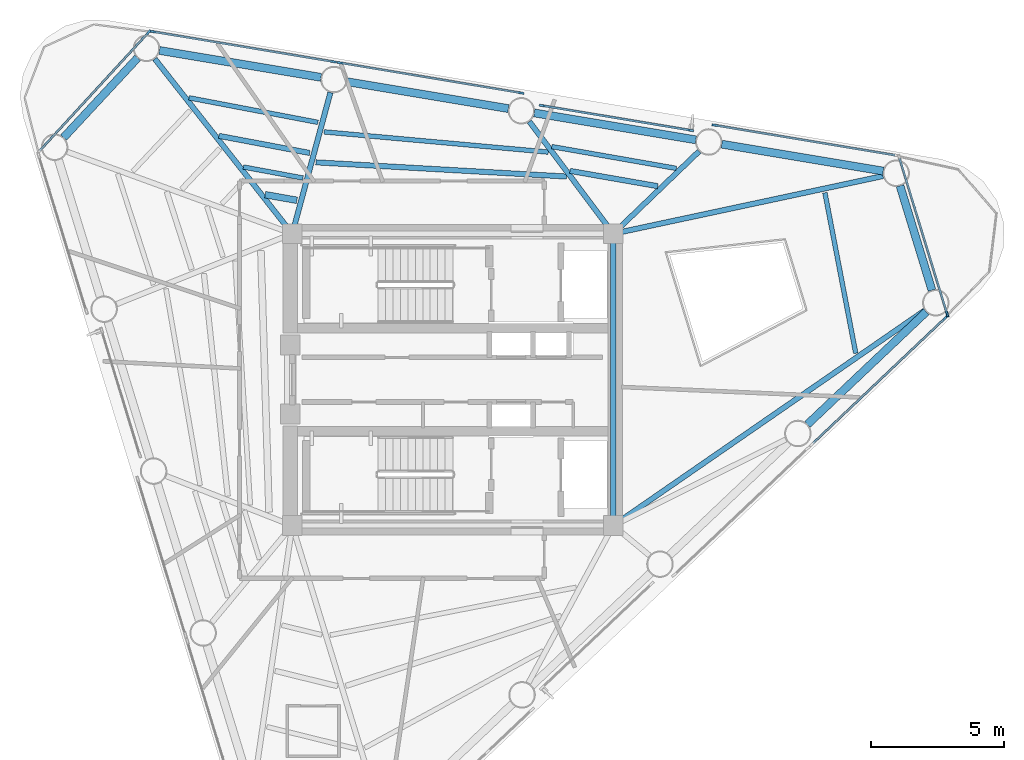
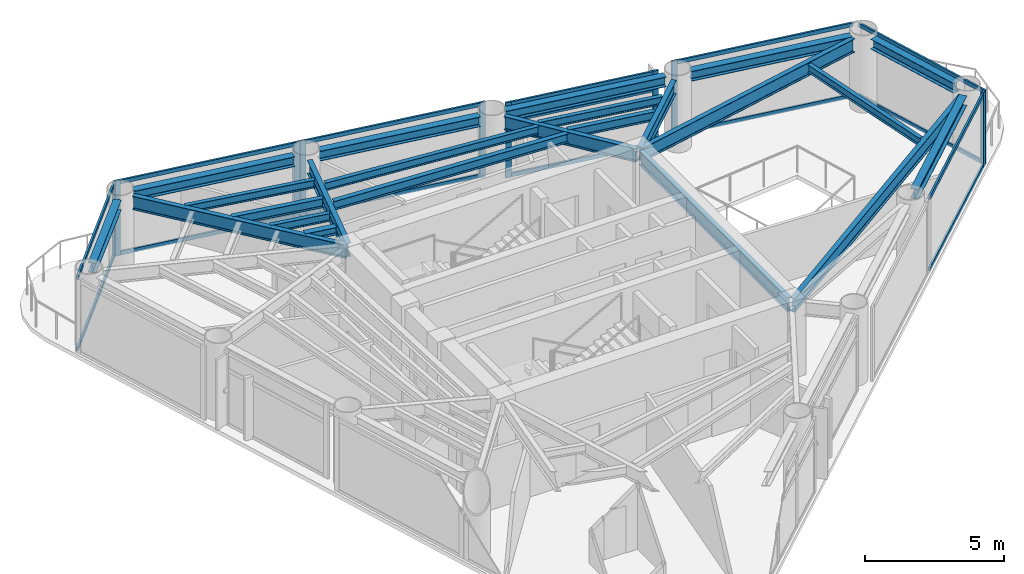
# One storey, part 3 of 9: 25 members, 23 beams, 7 elements without a shape of their own.
"""IFC4 building model written with IfcOpenShell, lengths in metres."""

import ifcopenshell
import ifcopenshell.guid

model = None  # the IFC model being written
_history = None  # IfcOwnerHistory: only IFC2X3 demands one
_inside = {}  # id of a spatial element -> (the spatial element, [elements in it])
_under = {}  # id of a project, library or spatial element -> (it, [spatial elements below it])
_declared = {}  # id of a project -> (the project, [libraries it declares])
_typed = {}  # id of a type object -> (the type object, [elements of that type])
_made_of = {}  # id of a material, layer set ... -> (it, [elements and type objects made of it])


def new_model(schema):
    """Start an empty IFC model of exactly this schema.

    Asked for "IFC4X3", IfcOpenShell would pick the latest addendum, in which some entities
    have other attributes; the version numbers below select the first issue.
    IFC2X3 requires an IfcOwnerHistory on every rooted entity: one is made here for all.
    """
    global model, _history
    if schema == "IFC4X3":
        model = ifcopenshell.file(schema_version=(4, 3, 0, 0))
    else:
        model = ifcopenshell.file(schema=schema)
    _inside.clear()
    _under.clear()
    _declared.clear()
    _typed.clear()
    _made_of.clear()
    _history = None
    if model.schema == "IFC2X3":
        org = make("IfcOrganization", Name="unknown")
        user = make(
            "IfcPersonAndOrganization",
            ThePerson=make("IfcPerson", FamilyName="unknown"),
            TheOrganization=org,
        )
        app = make(
            "IfcApplication",
            ApplicationDeveloper=org,
            Version="unknown",
            ApplicationFullName="unknown",
            ApplicationIdentifier="unknown",
        )
        _history = make(
            "IfcOwnerHistory",
            OwningUser=user,
            OwningApplication=app,
            ChangeAction="ADDED",
            CreationDate=0,
        )
    return model


def make(cls, **values):
    """One entity of the class cls with the attributes given. An attribute that is None is left unset."""
    return model.create_entity(
        cls, **{name: value for name, value in values.items() if value is not None}
    )


def rooted(cls, **values):
    """An entity with a GlobalId (a new one), such as an element, a storey or a relation."""
    return make(cls, GlobalId=ifcopenshell.guid.new(), OwnerHistory=_history, **values)


def si_unit(unit_type, name, prefix=None):
    """IfcSIUnit, for example si_unit("LENGTHUNIT", "METRE", prefix="MILLI")."""
    return make("IfcSIUnit", UnitType=unit_type, Prefix=prefix, Name=name)


def assignment(units):
    """IfcUnitAssignment: the units of a project."""
    return None if units is None else make("IfcUnitAssignment", Units=units)


def point(xyz):
    """IfcCartesianPoint."""
    return None if xyz is None else make("IfcCartesianPoint", Coordinates=xyz)


def direction(xyz):
    """IfcDirection."""
    return None if xyz is None else make("IfcDirection", DirectionRatios=xyz)


def frame(location, z_axis=None, x_axis=None):
    """IfcAxis2Placement3D, a coordinate frame: its origin and axes. An axis left out is left unset."""
    return make(
        "IfcAxis2Placement3D",
        Location=point(location),
        Axis=direction(z_axis),
        RefDirection=direction(x_axis),
    )


def frame_2d(location, x_axis=None):
    """IfcAxis2Placement2D, a coordinate frame in the plane: its origin and x axis."""
    return make(
        "IfcAxis2Placement2D", Location=point(location), RefDirection=direction(x_axis)
    )


def origin():
    """The frame at (0, 0, 0) with its axes left unset."""
    return frame((0.0, 0.0, 0.0))


def origin_2d():
    """The frame at (0, 0) in the plane with its x axis left unset."""
    return frame_2d((0.0, 0.0))


def place(relative_to, where):
    """IfcLocalPlacement: puts the frame where relative to a parent placement (None: the world)."""
    return make(
        "IfcLocalPlacement", PlacementRelTo=relative_to, RelativePlacement=where
    )


def context(
    kind, dimensions, precision=None, world=None, true_north=None, identifier=None
):
    """IfcGeometricRepresentationContext, for example the 3D "Model" context."""
    return make(
        "IfcGeometricRepresentationContext",
        ContextIdentifier=identifier,
        ContextType=kind,
        CoordinateSpaceDimension=dimensions,
        Precision=precision,
        WorldCoordinateSystem=world,
        TrueNorth=true_north,
    )


def subcontext(parent, identifier, kind, view, scale=None):
    """IfcGeometricRepresentationSubContext, for example "Body" below "Model"."""
    return make(
        "IfcGeometricRepresentationSubContext",
        ContextIdentifier=identifier,
        ContextType=kind,
        ParentContext=parent,
        TargetScale=scale,
        TargetView=view,
    )


def project(units=None, contexts=None):
    """IfcProject with its units and contexts."""
    return rooted(
        "IfcProject",
        Name="project",
        RepresentationContexts=contexts,
        UnitsInContext=assignment(units),
    )


def spatial(cls, under=None, at=None, **own):
    """A site, building, storey or space (cls), placed at a placement, below another one or the project."""
    s = rooted(cls, ObjectPlacement=at, **own)
    if under is not None:
        _under.setdefault(under.id(), (under, []))[1].append(s)
    return s


def profile(cls, at=None, kind="AREA", **sizes):
    """A parametric profile (cls). Its sizes go by their IFC names, for example OverallWidth=200.0."""
    return make(cls, ProfileType=kind, Position=at, **sizes)


def rectangle(**sizes):
    """IfcRectangleProfileDef."""
    return profile("IfcRectangleProfileDef", **sizes)


def i_section(**sizes):
    """IfcIShapeProfileDef."""
    return profile("IfcIShapeProfileDef", **sizes)


def extrude(swept, where, along, depth):
    """IfcExtrudedAreaSolid: the profile swept, set in the frame where, extruded along a direction by depth."""
    return make(
        "IfcExtrudedAreaSolid",
        SweptArea=swept,
        Position=where,
        ExtrudedDirection=direction(along),
        Depth=depth,
    )


def shape(context_of_items, identifier, shape_type, items):
    """IfcShapeRepresentation: the items that make up one representation, for example the "Body"."""
    return make(
        "IfcShapeRepresentation",
        ContextOfItems=context_of_items,
        RepresentationIdentifier=identifier,
        RepresentationType=shape_type,
        Items=items,
    )


def source(mapping_origin, context_of_items, identifier, shape_type, items):
    """IfcRepresentationMap: a shape defined once, which mapped items show again and again."""
    return make(
        "IfcRepresentationMap",
        MappingOrigin=mapping_origin,
        MappedRepresentation=shape(context_of_items, identifier, shape_type, items),
    )


def transform(
    local_origin,
    x_axis=None,
    y_axis=None,
    z_axis=None,
    scale=None,
    scale2=None,
    scale3=None,
    uniform=True,
):
    """IfcCartesianTransformationOperator3D, or its non-uniform kind. x_axis, y_axis, z_axis: its Axis1, 2, 3."""
    if uniform:
        return make(
            "IfcCartesianTransformationOperator3D",
            Axis1=direction(x_axis),
            Axis2=direction(y_axis),
            LocalOrigin=point(local_origin),
            Scale=scale,
            Axis3=direction(z_axis),
        )
    return make(
        "IfcCartesianTransformationOperator3DnonUniform",
        Axis1=direction(x_axis),
        Axis2=direction(y_axis),
        LocalOrigin=point(local_origin),
        Scale=scale,
        Axis3=direction(z_axis),
        Scale2=scale2,
        Scale3=scale3,
    )


def mapped(mapping_source, mapping_target):
    """IfcMappedItem: shows the shape of a source again, moved by a transform."""
    return make(
        "IfcMappedItem", MappingSource=mapping_source, MappingTarget=mapping_target
    )


def material(Name=None, Category=None):
    """IfcMaterial."""
    return make("IfcMaterial", Name=Name, Category=Category)


def layer(
    of_material, thickness, ventilated=None, Name=None, Category=None, Priority=None
):
    """IfcMaterialLayer: one layer of a wall or slab, of a material (None: an air gap)."""
    return make(
        "IfcMaterialLayer",
        Material=of_material,
        LayerThickness=thickness,
        IsVentilated=ventilated,
        Name=Name,
        Category=Category,
        Priority=Priority,
    )


def layer_set(layers, Name=None):
    """IfcMaterialLayerSet."""
    return make("IfcMaterialLayerSet", MaterialLayers=layers, LayerSetName=Name)


def material_profile(
    of_material, cross_section, Name=None, Category=None, Priority=None
):
    """IfcMaterialProfile: a cross section and its material."""
    return make(
        "IfcMaterialProfile",
        Name=Name,
        Material=of_material,
        Profile=cross_section,
        Priority=Priority,
        Category=Category,
    )


def profile_set(profiles, Name=None, composite=None):
    """IfcMaterialProfileSet."""
    return make(
        "IfcMaterialProfileSet",
        Name=Name,
        MaterialProfiles=profiles,
        CompositeProfile=composite,
    )


def made_of(thing, what):
    """Note that an element or type object is made of a material, layer set ...; save() writes the relation."""
    if what is not None:
        _made_of.setdefault(what.id(), (what, []))[1].append(thing)
    return thing


def type_object(cls, material=None, **own):
    """A type object (cls), such as IfcWallType, which elements share."""
    return made_of(rooted(cls, **own), material)


def element(
    cls,
    number,
    at=None,
    inside=None,
    cuts=None,
    type_object=None,
    material=None,
    context=None,
    identifier="Body",
    shape_type=None,
    held_by="IfcProductDefinitionShape",
    body=None,
    shapes=None,
    **own,
):
    """One element of the class cls, such as IfcWall. Its Tag is "e" and its number.

    at: its placement. inside: the storey or other place that contains it. cuts: it is an
    opening in that element (IfcRelVoidsElement). A single representation is given by context,
    identifier, shape_type and body (its items); several are given by shapes. held_by: the class
    of the entity that holds the representations. save() writes the other relations.
    """
    e = rooted(cls, Tag="e%d" % number, ObjectPlacement=at, **own)
    if body is not None:
        shapes = [shape(context, identifier, shape_type, body)]
    if shapes is not None:
        e.Representation = make(held_by, Representations=shapes)
    if inside is not None:
        _inside.setdefault(inside.id(), (inside, []))[1].append(e)
    if cuts is not None:
        rooted(
            "IfcRelVoidsElement", RelatingBuildingElement=cuts, RelatedOpeningElement=e
        )
    if type_object is not None:
        _typed.setdefault(type_object.id(), (type_object, []))[1].append(e)
    return made_of(e, material)


def aggregate(whole, parts):
    """IfcRelAggregates: a whole, such as a stair, and the parts it consists of."""
    return rooted("IfcRelAggregates", RelatingObject=whole, RelatedObjects=parts)


def save(model, path):
    """Write the relations noted so far, then the file.

    IfcRelAggregates (storeys below a building ...), IfcRelContainedInSpatialStructure (elements
    in a storey), IfcRelDefinesByType, IfcRelAssociatesMaterial and IfcRelDeclares: one each for
    every whole, place, type object, material and project.
    """
    for whole, parts in _under.values():
        aggregate(whole, parts)
    for where, things in _inside.values():
        rooted(
            "IfcRelContainedInSpatialStructure",
            RelatedElements=things,
            RelatingStructure=where,
        )
    for kind, things in _typed.values():
        rooted("IfcRelDefinesByType", RelatedObjects=things, RelatingType=kind)
    for what, things in _made_of.values():
        rooted("IfcRelAssociatesMaterial", RelatedObjects=things, RelatingMaterial=what)
    for by, libraries in _declared.values():
        rooted("IfcRelDeclares", RelatingContext=by, RelatedDefinitions=libraries)
    model.write(path)


model = new_model("IFC4")

# Units and contexts
model_context = context("Model", 3, precision=1e-05, world=origin(), true_north=direction((0.0, 1.0)))
body_context = subcontext(model_context, "Body", "Model", "MODEL_VIEW")
ifc_project = project(units=[si_unit("LENGTHUNIT", "METRE"), si_unit("AREAUNIT", "SQUARE_METRE"), si_unit("VOLUMEUNIT", "CUBIC_METRE"), si_unit("PLANEANGLEUNIT", "RADIAN"), si_unit("MASSUNIT", "GRAM", prefix="KILO")], contexts=[model_context])

# Site, building, storey
site_placement = place(None, origin())
site = spatial("IfcSite", under=ifc_project, at=site_placement, CompositionType="ELEMENT")
building_placement = place(site_placement, origin())
building = spatial("IfcBuilding", under=site, at=building_placement, Name="Yunling Apex Tower", CompositionType="ELEMENT")
storey_placement = place(building_placement, frame((0.0, 0.0, 232.050048828125)))
storey = spatial("IfcBuildingStorey", under=building, at=storey_placement, Name="L56", CompositionType="ELEMENT", Elevation=232.050048828125)

# Beams
ifc_material_1 = material(Name="Steel Q355B", Category="steel")
ifc_material_profile_1 = material_profile(ifc_material_1, i_section(OverallWidth=0.199951171875, OverallDepth=0.60009765625, WebThickness=0.010986328125, FlangeThickness=0.01708984375, FilletRadius=0.02197265625, at=origin_2d()))
ifc_profile_set_1 = profile_set([ifc_material_profile_1], Name="Steel Q355B")
beam_type_1 = type_object("IfcBeamType", Name="BG-PRI-5", PredefinedType="USERDEFINED", material=ifc_profile_set_1)
shared_shape_1 = source(origin(), body_context, "Body", "SweptSolid", [
    extrude(i_section(OverallWidth=0.199951171875, OverallDepth=0.60009765625, WebThickness=0.010986328125, FlangeThickness=0.01708984375, FilletRadius=0.02197265625, at=origin_2d()), origin(), (0.0, 0.0, 1.0), 10.7001953125),
])
beam_1_placement = place(storey_placement, frame((6.050048828125, -5.35009765625, 2.919921875), z_axis=(0.0, 1.0, 0.0), x_axis=(-1.0, 0.0, 0.0)))
element("IfcBeam", 1, at=beam_1_placement, inside=storey, type_object=beam_type_1, Name="L56 Core Ring Tie Beam 2", ObjectType="GIRDER", PredefinedType="USERDEFINED", context=body_context, shape_type="MappedRepresentation", body=[
    mapped(shared_shape_1, transform((0.0, 0.0, 0.0), scale=1.0)),
])
ifc_material_profile_2 = material_profile(ifc_material_1, i_section(OverallWidth=0.175048828125, OverallDepth=0.35009765625, WebThickness=0.007080078125, FlangeThickness=0.010986328125, FilletRadius=0.013916015625, at=origin_2d()))
ifc_profile_set_2 = profile_set([ifc_material_profile_2], Name="Steel Q355B")
beam_type_2 = type_object("IfcBeamType", Name="BJ-JST-1", PredefinedType="JOIST", material=ifc_profile_set_2)
shared_shape_2 = source(origin(), body_context, "Body", "SweptSolid", [
    extrude(i_section(OverallWidth=0.175048828125, OverallDepth=0.35009765625, WebThickness=0.007080078125, FlangeThickness=0.010986328125, FilletRadius=0.013916015625, at=origin_2d()), origin(), (0.0, 0.0, 1.0), 4.765869140625),
])
beam_2_placement = place(storey_placement, frame((8.42578125, 7.96142578125, 3.044921875), z_axis=(-0.985022420296, 0.17242630749, 0.0), x_axis=(-0.17242630749, -0.985022420296, 0.0)))
element("IfcBeam", 2, at=beam_2_placement, inside=storey, type_object=beam_type_2, Name="L56 Composite Floor Joist BJ1-7", PredefinedType="JOIST", context=body_context, shape_type="MappedRepresentation", body=[
    mapped(shared_shape_2, transform((0.0, 0.0, 0.0), scale=1.0)),
])
ifc_material_profile_3 = material_profile(ifc_material_1, i_section(OverallWidth=0.300048828125, OverallDepth=0.43994140625, WebThickness=0.010986328125, FlangeThickness=0.01806640625, FilletRadius=0.02197265625, at=origin_2d()))
ifc_profile_set_3 = profile_set([ifc_material_profile_3], Name="Steel Q355B")
beam_type_3 = type_object("IfcBeamType", Name="BP-SPN-3", PredefinedType="SPANDREL", material=ifc_profile_set_3)
shared_shape_3 = source(origin(), body_context, "Body", "SweptSolid", [
    extrude(i_section(OverallWidth=0.300048828125, OverallDepth=0.43994140625, WebThickness=0.010986328125, FlangeThickness=0.01806640625, FilletRadius=0.02197265625, at=origin_2d()), origin(), (0.0, 0.0, 1.0), 6.17333984375),
])
for number, where, z_axis, x_axis, name in (
    (3, (13.36572265625, -1.690185546875, 3.0), (0.725853952128, 0.687848849807, 0.0), (-0.687848849807, 0.725853952128, 0.0), "L56 Perimeter Spandrel Beam 4"),
    (4, (16.224853515625, 7.860595703125, 3.0), (-0.986400336233, 0.164360508275, 0.0), (-0.164360508275, -0.986400336233, 0.0), "L56 Perimeter Spandrel Beam 6"),
    (5, (9.160888671875, 9.03759765625, 3.0), (-0.986400336233, 0.164360508275, 0.0), (-0.164360508275, -0.986400336233, 0.0), "L56 Perimeter Spandrel Beam 7"),
    (6, (2.096923828125, 10.214599609375, 3.0), (-0.986393923832, 0.164398987305, 0.0), (-0.164398987305, -0.986393923832, 0.0), "L56 Perimeter Spandrel Beam 8"),
    (7, (-4.967041015625, 11.391845703125, 3.0), (-0.986400336233, 0.164360508275, 0.0), (-0.164360508275, -0.986400336233, 0.0), "L56 Perimeter Spandrel Beam 9"),
):
    element("IfcBeam", number, at=place(storey_placement, frame(where, z_axis=z_axis, x_axis=x_axis)), inside=storey, type_object=beam_type_3, Name=name, PredefinedType="SPANDREL", context=body_context, shape_type="MappedRepresentation", body=[
        mapped(shared_shape_3, transform((0.0, 0.0, 0.0), scale=1.0)),
    ])
shared_shape_4 = source(origin(), body_context, "Body", "SweptSolid", [
    extrude(i_section(OverallWidth=0.300048828125, OverallDepth=0.43994140625, WebThickness=0.010986328125, FlangeThickness=0.01806640625, FilletRadius=0.02197265625, at=origin_2d()), origin(), (0.0, 0.0, 1.0), 4.118408203125),
])
beam_3_placement = place(storey_placement, frame((18.060791015625, 3.368408203125, 3.0), z_axis=(-0.292369137572, 0.956305540816, 0.0), x_axis=(-0.956305540816, -0.292369137572, 0.0)))
element("IfcBeam", 8, at=beam_3_placement, inside=storey, type_object=beam_type_3, Name="L56 Perimeter Spandrel Beam 5", PredefinedType="SPANDREL", context=body_context, shape_type="MappedRepresentation", body=[
    mapped(shared_shape_4, transform((0.0, 0.0, 0.0), scale=1.0)),
])
shared_shape_5 = source(origin(), body_context, "Body", "SweptSolid", [
    extrude(i_section(OverallWidth=0.300048828125, OverallDepth=0.43994140625, WebThickness=0.010986328125, FlangeThickness=0.01806640625, FilletRadius=0.02197265625, at=origin_2d()), origin(), (0.0, 0.0, 1.0), 4.1015625),
])
beam_4_placement = place(storey_placement, frame((-11.8798828125, 12.125732421875, 3.0), z_axis=(-0.680585789197, -0.732668399443, 0.0), x_axis=(0.732668399443, -0.680585789197, 0.0)))
element("IfcBeam", 9, at=beam_4_placement, inside=storey, type_object=beam_type_3, Name="L56 Perimeter Spandrel Beam 10", PredefinedType="SPANDREL", context=body_context, shape_type="MappedRepresentation", body=[
    mapped(shared_shape_5, transform((0.0, 0.0, 0.0), scale=1.0)),
])
shared_shape_6 = source(origin(), body_context, "Body", "SweptSolid", [
    extrude(i_section(OverallWidth=0.199951171875, OverallDepth=0.60009765625, WebThickness=0.010986328125, FlangeThickness=0.01708984375, FilletRadius=0.02197265625, at=origin_2d()), origin(), (0.0, 0.0, 1.0), 14.18505859375),
])
beam_5_placement = place(storey_placement, frame((17.787353515625, 2.607177734375, 2.919921875), z_axis=(-0.822805113414, -0.568323627294, 0.0), x_axis=(0.568323627294, -0.822805113414, 0.0)))
element("IfcBeam", 10, at=beam_5_placement, inside=storey, type_object=beam_type_1, Name="L56 Radial Primary Girder R05", ObjectType="GIRDER", PredefinedType="USERDEFINED", context=body_context, shape_type="MappedRepresentation", body=[
    mapped(shared_shape_6, transform((0.0, 0.0, 0.0), scale=1.0)),
])
shared_shape_7 = source(origin(), body_context, "Body", "SweptSolid", [
    extrude(i_section(OverallWidth=0.199951171875, OverallDepth=0.60009765625, WebThickness=0.010986328125, FlangeThickness=0.01708984375, FilletRadius=0.02197265625, at=origin_2d()), origin(), (0.0, 0.0, 1.0), 10.315185546875),
])
beam_6_placement = place(storey_placement, frame((16.21533203125, 7.673095703125, 2.919921875), z_axis=(-0.977902402009, -0.209061933755, 0.0), x_axis=(0.209061933755, -0.977902402009, 0.0)))
element("IfcBeam", 11, at=beam_6_placement, inside=storey, type_object=beam_type_1, Name="L56 Radial Primary Girder R06", ObjectType="GIRDER", PredefinedType="USERDEFINED", context=body_context, shape_type="MappedRepresentation", body=[
    mapped(shared_shape_7, transform((0.0, 0.0, 0.0), scale=1.0)),
])
shared_shape_8 = source(origin(), body_context, "Body", "SweptSolid", [
    extrude(i_section(OverallWidth=0.199951171875, OverallDepth=0.60009765625, WebThickness=0.010986328125, FlangeThickness=0.01708984375, FilletRadius=0.02197265625, at=origin_2d()), origin(), (0.0, 0.0, 1.0), 4.4013671875),
])
beam_7_placement = place(storey_placement, frame((9.28173828125, 8.6044921875, 2.919921875), z_axis=(-0.721164480273, -0.69276387925, 0.0), x_axis=(0.69276387925, -0.721164480273, 0.0)))
element("IfcBeam", 12, at=beam_7_placement, inside=storey, type_object=beam_type_1, Name="L56 Radial Primary Girder R07", ObjectType="GIRDER", PredefinedType="USERDEFINED", context=body_context, shape_type="MappedRepresentation", body=[
    mapped(shared_shape_8, transform((0.0, 0.0, 0.0), scale=1.0)),
])
shared_shape_9 = source(origin(), body_context, "Body", "SweptSolid", [
    extrude(i_section(OverallWidth=0.199951171875, OverallDepth=0.60009765625, WebThickness=0.010986328125, FlangeThickness=0.01708984375, FilletRadius=0.02197265625, at=origin_2d()), origin(), (0.0, 0.0, 1.0), 5.1982421875),
])
beam_8_placement = place(storey_placement, frame((2.888427734375, 9.726806640625, 2.919921875), z_axis=(0.598992593476, -0.800754564746, 0.0), x_axis=(0.800754564746, 0.598992593476, 0.0)))
element("IfcBeam", 13, at=beam_8_placement, inside=storey, type_object=beam_type_1, Name="L56 Radial Primary Girder R08", ObjectType="GIRDER", PredefinedType="USERDEFINED", context=body_context, shape_type="MappedRepresentation", body=[
    mapped(shared_shape_9, transform((0.0, 0.0, 0.0), scale=1.0)),
])
shared_shape_10 = source(origin(), body_context, "Body", "SweptSolid", [
    extrude(i_section(OverallWidth=0.199951171875, OverallDepth=0.60009765625, WebThickness=0.010986328125, FlangeThickness=0.01708984375, FilletRadius=0.02197265625, at=origin_2d()), origin(), (0.0, 0.0, 1.0), 5.43115234375),
])
beam_9_placement = place(storey_placement, frame((-4.6123046875, 10.8203125, 2.919921875), z_axis=(-0.26085354679, -0.965378385467, 0.0), x_axis=(0.965378385467, -0.26085354679, 0.0)))
element("IfcBeam", 14, at=beam_9_placement, inside=storey, type_object=beam_type_1, Name="L56 Radial Primary Girder R09", ObjectType="GIRDER", PredefinedType="USERDEFINED", context=body_context, shape_type="MappedRepresentation", body=[
    mapped(shared_shape_10, transform((0.0, 0.0, 0.0), scale=1.0)),
])
shared_shape_11 = source(origin(), body_context, "Body", "SweptSolid", [
    extrude(i_section(OverallWidth=0.199951171875, OverallDepth=0.60009765625, WebThickness=0.010986328125, FlangeThickness=0.01708984375, FilletRadius=0.02197265625, at=origin_2d()), origin(), (0.0, 0.0, 1.0), 8.300537109375),
])
beam_10_placement = place(storey_placement, frame((-11.229736328125, 12.088134765625, 2.919921875), z_axis=(0.618080016926, -0.786115190463, 0.0), x_axis=(0.786115190463, 0.618080016926, 0.0)))
element("IfcBeam", 15, at=beam_10_placement, inside=storey, type_object=beam_type_1, Name="L56 Radial Primary Girder R10", ObjectType="GIRDER", PredefinedType="USERDEFINED", context=body_context, shape_type="MappedRepresentation", body=[
    mapped(shared_shape_11, transform((0.0, 0.0, 0.0), scale=1.0)),
])
shared_shape_12 = source(origin(), body_context, "Body", "SweptSolid", [
    extrude(i_section(OverallWidth=0.175048828125, OverallDepth=0.35009765625, WebThickness=0.007080078125, FlangeThickness=0.010986328125, FilletRadius=0.013916015625, at=origin_2d()), origin(), (0.0, 0.0, 1.0), 6.16162109375),
])
beam_11_placement = place(storey_placement, frame((15.189453125, 0.99072265625, 3.044921875), z_axis=(-0.188765094227, 0.982022270217, 0.0), x_axis=(-0.982022270217, -0.188765094227, 0.0)))
element("IfcBeam", 16, at=beam_11_placement, inside=storey, type_object=beam_type_2, Name="L56 Composite Floor Joist BJ1-5", PredefinedType="JOIST", context=body_context, shape_type="MappedRepresentation", body=[
    mapped(shared_shape_12, transform((0.0, 0.0, 0.0), scale=1.0)),
])
ifc_material_profile_4 = material_profile(ifc_material_1, i_section(OverallWidth=0.199951171875, OverallDepth=0.39990234375, WebThickness=0.008056640625, FlangeThickness=0.012939453125, FilletRadius=0.01611328125, at=origin_2d()))
ifc_profile_set_4 = profile_set([ifc_material_profile_4], Name="Steel Q355B")
beam_type_4 = type_object("IfcBeamType", Name="BS-SEC-4", PredefinedType="BEAM", material=ifc_profile_set_4)
shared_shape_13 = source(origin(), body_context, "Body", "SweptSolid", [
    extrude(i_section(OverallWidth=0.199951171875, OverallDepth=0.39990234375, WebThickness=0.008056640625, FlangeThickness=0.012939453125, FilletRadius=0.01611328125, at=origin_2d()), origin(), (0.0, 0.0, 1.0), 3.361572265625),
])
beam_12_placement = place(storey_placement, frame((7.7275390625, 7.290283203125, 3.02001953125), z_axis=(-0.985137567958, 0.171767203496, 0.0), x_axis=(-0.171767203496, -0.985137567958, 0.0)))
element("IfcBeam", 17, at=beam_12_placement, inside=storey, type_object=beam_type_4, Name="L56 Composite Floor Beam BS-7", PredefinedType="BEAM", context=body_context, shape_type="MappedRepresentation", body=[
    mapped(shared_shape_13, transform((0.0, 0.0, 0.0), scale=1.0)),
])
shared_shape_14 = source(origin(), body_context, "Body", "SweptSolid", [
    extrude(i_section(OverallWidth=0.199951171875, OverallDepth=0.39990234375, WebThickness=0.008056640625, FlangeThickness=0.012939453125, FilletRadius=0.01611328125, at=origin_2d()), origin(), (0.0, 0.0, 1.0), 9.461669921875),
])
beam_13_placement = place(storey_placement, frame((4.28564453125, 7.654541015625, 3.02001953125), z_axis=(-0.998399180074, 0.05656038567, 0.0), x_axis=(-0.05656038567, -0.998399180074, 0.0)))
element("IfcBeam", 18, at=beam_13_placement, inside=storey, type_object=beam_type_4, Name="L56 Composite Floor Beam BS-8", PredefinedType="BEAM", context=body_context, shape_type="MappedRepresentation", body=[
    mapped(shared_shape_14, transform((0.0, 0.0, 0.0), scale=1.0)),
])
shared_shape_15 = source(origin(), body_context, "Body", "SweptSolid", [
    extrude(i_section(OverallWidth=0.175048828125, OverallDepth=0.35009765625, WebThickness=0.007080078125, FlangeThickness=0.010986328125, FilletRadius=0.013916015625, at=origin_2d()), origin(), (0.0, 0.0, 1.0), 8.485107421875),
])
beam_14_placement = place(storey_placement, frame((3.60107421875, 8.575439453125, 3.044921875), z_axis=(-0.995954531999, 0.089858612221, 0.0), x_axis=(-0.089858612221, -0.995954531999, 0.0)))
element("IfcBeam", 19, at=beam_14_placement, inside=storey, type_object=beam_type_2, Name="L56 Composite Floor Joist BJ1-8", PredefinedType="JOIST", context=body_context, shape_type="MappedRepresentation", body=[
    mapped(shared_shape_15, transform((0.0, 0.0, 0.0), scale=1.0)),
])
shared_shape_16 = source(origin(), body_context, "Body", "SweptSolid", [
    extrude(i_section(OverallWidth=0.199951171875, OverallDepth=0.39990234375, WebThickness=0.008056640625, FlangeThickness=0.012939453125, FilletRadius=0.01611328125, at=origin_2d()), origin(), (0.0, 0.0, 1.0), 3.482421875),
])
beam_15_placement = place(storey_placement, frame((-5.392822265625, 8.54296875, 3.02001953125), z_axis=(-0.98272425545, 0.185075762191, 0.0), x_axis=(-0.185075762191, -0.98272425545, 0.0)))
element("IfcBeam", 20, at=beam_15_placement, inside=storey, type_object=beam_type_4, Name="L56 Composite Floor Beam BS-9", PredefinedType="BEAM", context=body_context, shape_type="MappedRepresentation", body=[
    mapped(shared_shape_16, transform((0.0, 0.0, 0.0), scale=1.0)),
])
shared_shape_17 = source(origin(), body_context, "Body", "SweptSolid", [
    extrude(i_section(OverallWidth=0.175048828125, OverallDepth=0.35009765625, WebThickness=0.007080078125, FlangeThickness=0.010986328125, FilletRadius=0.013916015625, at=origin_2d()), origin(), (0.0, 0.0, 1.0), 4.949951171875),
])
beam_16_placement = place(storey_placement, frame((-5.081298828125, 9.69677734375, 3.044921875), z_axis=(-0.982345041362, 0.187078111256, 0.0), x_axis=(-0.187078111256, -0.982345041362, 0.0)))
element("IfcBeam", 21, at=beam_16_placement, inside=storey, type_object=beam_type_2, Name="L56 Composite Floor Joist BJ1-9", PredefinedType="JOIST", context=body_context, shape_type="MappedRepresentation", body=[
    mapped(shared_shape_17, transform((0.0, 0.0, 0.0), scale=1.0)),
])
shared_shape_18 = source(origin(), body_context, "Body", "SweptSolid", [
    extrude(i_section(OverallWidth=0.175048828125, OverallDepth=0.35009765625, WebThickness=0.007080078125, FlangeThickness=0.010986328125, FilletRadius=0.013916015625, at=origin_2d()), origin(), (0.0, 0.0, 1.0), 2.28173828125),
])
beam_17_placement = place(storey_placement, frame((-5.64794921875, 7.5986328125, 3.044921875), z_axis=(-0.983336596367, 0.181794219503, 0.0), x_axis=(-0.181794219503, -0.983336596367, 0.0)))
element("IfcBeam", 22, at=beam_17_placement, inside=storey, type_object=beam_type_2, Name="L56 Composite Floor Joist BJ3-9", PredefinedType="JOIST", context=body_context, shape_type="MappedRepresentation", body=[
    mapped(shared_shape_18, transform((0.0, 0.0, 0.0), scale=1.0)),
])
ifc_material_profile_5 = material_profile(ifc_material_1, i_section(OverallWidth=0.25, OverallDepth=0.340087890625, WebThickness=0.009033203125, FlangeThickness=0.013916015625, FilletRadius=0.01806640625, at=origin_2d()))
ifc_profile_set_5 = profile_set([ifc_material_profile_5], Name="Steel Q355B")
beam_type_5 = type_object("IfcBeamType", Name="BJ-JST-2", PredefinedType="JOIST", material=ifc_profile_set_5)
shared_shape_19 = source(origin(), body_context, "Body", "SweptSolid", [
    extrude(i_section(OverallWidth=0.25, OverallDepth=0.340087890625, WebThickness=0.009033203125, FlangeThickness=0.013916015625, FilletRadius=0.01806640625, at=origin_2d()), origin(), (0.0, 0.0, 1.0), 1.214111328125),
])
beam_18_placement = place(storey_placement, frame((-5.875, 6.758544921875, 3.050048828125), z_axis=(-0.98465170233, 0.174530871477, 0.0), x_axis=(-0.174530871477, -0.98465170233, 0.0)))
element("IfcBeam", 23, at=beam_18_placement, inside=storey, type_object=beam_type_5, Name="L56 Composite Floor Joist BJ2-9", PredefinedType="JOIST", context=body_context, shape_type="MappedRepresentation", body=[
    mapped(shared_shape_19, transform((0.0, 0.0, 0.0), scale=1.0)),
])

# Curtain wall, members
ifc_material_2 = material(Name="Bronze anodised aluminium", Category="aluminium")
ifc_layer = layer(ifc_material_2, 0.219970703125)
ifc_layer_set = layer_set([ifc_layer], Name="Bronze anodised aluminium")
curtain_wall_type = type_object("IfcCurtainWallType", Name="CW-SYS-4", PredefinedType="NOTDEFINED", material=ifc_layer_set)
curtain_wall_1_placement = place(storey_placement, origin())
curtain_wall_1 = element("IfcCurtainWall", 24, at=curtain_wall_1_placement, inside=storey, type_object=curtain_wall_type, Name="CW-L56-F1-B4", PredefinedType="NOTDEFINED")
ifc_material_profile_6 = material_profile(ifc_material_2, rectangle(XDim=0.080078125, YDim=0.169921875, at=origin_2d()))
ifc_profile_set_6 = profile_set([ifc_material_profile_6], Name="Bronze anodised aluminium")
member_type_1 = type_object("IfcMemberType", Name="CW-TRN-4", PredefinedType="USERDEFINED", material=ifc_profile_set_6)
shared_shape_20 = source(origin(), body_context, "Body", "SweptSolid", [
    extrude(rectangle(XDim=0.080078125, YDim=0.169921875, at=origin_2d()), origin(), (0.0, 0.0, 1.0), 6.849365234375),
])
member_1_placement = place(storey_placement, frame((13.574462890625, -2.40185546875, 0.0400390625), z_axis=(0.725849647065, 0.687853392705, 0.0), x_axis=(-0.687853392705, 0.725849647065, 0.0)))
member_1 = element("IfcMember", 25, at=member_1_placement, type_object=member_type_1, Name="CW-SYS-4 transom 1.1", ObjectType="TRANSOM", PredefinedType="USERDEFINED", context=body_context, shape_type="MappedRepresentation", body=[
    mapped(shared_shape_20, transform((0.0, 0.0, 0.0), scale=1.0)),
])
member_2_placement = place(storey_placement, frame((13.574462890625, -2.40185546875, 3.179931640625), z_axis=(0.725849647065, 0.687853392705, 0.0), x_axis=(-0.687853392705, 0.725849647065, 0.0)))
member_2 = element("IfcMember", 26, at=member_2_placement, type_object=member_type_1, Name="CW-SYS-4 transom 1.2", ObjectType="TRANSOM", PredefinedType="USERDEFINED", context=body_context, shape_type="MappedRepresentation", body=[
    mapped(shared_shape_20, transform((0.0, 0.0, 0.0), scale=1.0)),
])

curtain_wall_2_placement = place(storey_placement, origin())
curtain_wall_2 = element("IfcCurtainWall", 27, at=curtain_wall_2_placement, inside=storey, type_object=curtain_wall_type, Name="CW-L56-F2-B1", PredefinedType="NOTDEFINED")
member_3_placement = place(storey_placement, frame((16.666748046875, 8.456298828125, 0.0400390625), z_axis=(-0.986400666628, 0.164358525415, 0.0), x_axis=(-0.164358525415, -0.986400666628, 0.0)))
member_3 = element("IfcMember", 28, at=member_3_placement, type_object=member_type_1, Name="CW-SYS-4 transom 1.1", ObjectType="TRANSOM", PredefinedType="USERDEFINED", context=body_context, shape_type="MappedRepresentation", body=[
    mapped(shared_shape_20, transform((0.0, 0.0, 0.0), scale=1.0)),
])
member_4_placement = place(storey_placement, frame((16.666748046875, 8.456298828125, 3.179931640625), z_axis=(-0.986400666628, 0.164358525415, 0.0), x_axis=(-0.164358525415, -0.986400666628, 0.0)))
member_4 = element("IfcMember", 29, at=member_4_placement, type_object=member_type_1, Name="CW-SYS-4 transom 1.2", ObjectType="TRANSOM", PredefinedType="USERDEFINED", context=body_context, shape_type="MappedRepresentation", body=[
    mapped(shared_shape_20, transform((0.0, 0.0, 0.0), scale=1.0)),
])

curtain_wall_3_placement = place(storey_placement, origin())
curtain_wall_3 = element("IfcCurtainWall", 30, at=curtain_wall_3_placement, inside=storey, type_object=curtain_wall_type, Name="CW-L56-CRN1", PredefinedType="NOTDEFINED")
shared_shape_21 = source(origin(), body_context, "Body", "SweptSolid", [
    extrude(rectangle(XDim=0.080078125, YDim=0.169921875, at=origin_2d()), origin(), (0.0, 0.0, 1.0), 6.100830078125),
])
member_5_placement = place(storey_placement, frame((18.623291015625, 2.50390625, 0.0400390625), z_axis=(-0.292370017789, 0.956305271709, 0.0), x_axis=(-0.956305271709, -0.292370017789, 0.0)))
member_5 = element("IfcMember", 31, at=member_5_placement, type_object=member_type_1, Name="CW-SYS-4 transom 1.1", ObjectType="TRANSOM", PredefinedType="USERDEFINED", context=body_context, shape_type="MappedRepresentation", body=[
    mapped(shared_shape_21, transform((0.0, 0.0, 0.0), scale=1.0)),
])
member_6_placement = place(storey_placement, frame((18.623291015625, 2.50390625, 3.179931640625), z_axis=(-0.292370017789, 0.956305271709, 0.0), x_axis=(-0.956305271709, -0.292370017789, 0.0)))
member_6 = element("IfcMember", 32, at=member_6_placement, type_object=member_type_1, Name="CW-SYS-4 transom 1.2", ObjectType="TRANSOM", PredefinedType="USERDEFINED", context=body_context, shape_type="MappedRepresentation", body=[
    mapped(shared_shape_21, transform((0.0, 0.0, 0.0), scale=1.0)),
])

curtain_wall_4_placement = place(storey_placement, origin())
curtain_wall_4 = element("IfcCurtainWall", 33, at=curtain_wall_4_placement, inside=storey, type_object=curtain_wall_type, Name="CW-L56-F2-B2", PredefinedType="NOTDEFINED")
shared_shape_22 = source(origin(), body_context, "Body", "SweptSolid", [
    extrude(rectangle(XDim=0.080078125, YDim=0.169921875, at=origin_2d()), origin(), (0.0, 0.0, 1.0), 5.609375),
])
member_7_placement = place(storey_placement, frame((8.935302734375, 9.399658203125, 0.0400390625), z_axis=(-0.986395100144, 0.164391929279, 0.0), x_axis=(-0.164391929279, -0.986395100144, 0.0)))
member_7 = element("IfcMember", 34, at=member_7_placement, type_object=member_type_1, Name="CW-SYS-4 transom 1.1", ObjectType="TRANSOM", PredefinedType="USERDEFINED", context=body_context, shape_type="MappedRepresentation", body=[
    mapped(shared_shape_22, transform((0.0, 0.0, 0.0), scale=1.0)),
])
member_8_placement = place(storey_placement, frame((8.935302734375, 9.399658203125, 2.447265625), z_axis=(-0.986395100144, 0.164391929279, 0.0), x_axis=(-0.164391929279, -0.986395100144, 0.0)))
member_8 = element("IfcMember", 35, at=member_8_placement, type_object=member_type_1, Name="CW-SYS-4 transom 1.2", ObjectType="TRANSOM", PredefinedType="USERDEFINED", context=body_context, shape_type="MappedRepresentation", body=[
    mapped(shared_shape_22, transform((0.0, 0.0, 0.0), scale=1.0)),
])
member_9_placement = place(storey_placement, frame((8.935302734375, 9.399658203125, 3.179931640625), z_axis=(-0.986395100144, 0.164391929279, 0.0), x_axis=(-0.164391929279, -0.986395100144, 0.0)))
member_9 = element("IfcMember", 36, at=member_9_placement, type_object=member_type_1, Name="CW-SYS-4 transom 1.3", ObjectType="TRANSOM", PredefinedType="USERDEFINED", context=body_context, shape_type="MappedRepresentation", body=[
    mapped(shared_shape_22, transform((0.0, 0.0, 0.0), scale=1.0)),
])

curtain_wall_5_placement = place(storey_placement, origin())
curtain_wall_5 = element("IfcCurtainWall", 37, at=curtain_wall_5_placement, inside=storey, type_object=curtain_wall_type, Name="CW-L56-F2-B3", PredefinedType="NOTDEFINED")
shared_shape_23 = source(origin(), body_context, "Body", "SweptSolid", [
    extrude(rectangle(XDim=0.080078125, YDim=0.169921875, at=origin_2d()), origin(), (0.0, 0.0, 1.0), 6.849609375),
])
member_10_placement = place(storey_placement, frame((2.538818359375, 10.810302734375, 0.0400390625), z_axis=(-0.986401629478, 0.164352746749, 0.0), x_axis=(-0.164352746749, -0.986401629478, 0.0)))
member_10 = element("IfcMember", 38, at=member_10_placement, type_object=member_type_1, Name="CW-SYS-4 transom 1.1", ObjectType="TRANSOM", PredefinedType="USERDEFINED", context=body_context, shape_type="MappedRepresentation", body=[
    mapped(shared_shape_23, transform((0.0, 0.0, 0.0), scale=1.0)),
])
member_11_placement = place(storey_placement, frame((2.538818359375, 10.810302734375, 3.179931640625), z_axis=(-0.986401629478, 0.164352746749, 0.0), x_axis=(-0.164352746749, -0.986401629478, 0.0)))
member_11 = element("IfcMember", 39, at=member_11_placement, type_object=member_type_1, Name="CW-SYS-4 transom 1.2", ObjectType="TRANSOM", PredefinedType="USERDEFINED", context=body_context, shape_type="MappedRepresentation", body=[
    mapped(shared_shape_23, transform((0.0, 0.0, 0.0), scale=1.0)),
])

curtain_wall_6_placement = place(storey_placement, origin())
curtain_wall_6 = element("IfcCurtainWall", 40, at=curtain_wall_6_placement, inside=storey, type_object=curtain_wall_type, Name="CW-L56-F2-B4", PredefinedType="NOTDEFINED")
member_12_placement = place(storey_placement, frame((-4.525146484375, 11.9873046875, 0.0400390625), z_axis=(-0.986401629478, 0.164352746749, 0.0), x_axis=(-0.164352746749, -0.986401629478, 0.0)))
member_12 = element("IfcMember", 41, at=member_12_placement, type_object=member_type_1, Name="CW-SYS-4 transom 1.1", ObjectType="TRANSOM", PredefinedType="USERDEFINED", context=body_context, shape_type="MappedRepresentation", body=[
    mapped(shared_shape_23, transform((0.0, 0.0, 0.0), scale=1.0)),
])
member_13_placement = place(storey_placement, frame((-4.525146484375, 11.9873046875, 3.179931640625), z_axis=(-0.986401629478, 0.164352746749, 0.0), x_axis=(-0.164352746749, -0.986401629478, 0.0)))
member_13 = element("IfcMember", 42, at=member_13_placement, type_object=member_type_1, Name="CW-SYS-4 transom 1.2", ObjectType="TRANSOM", PredefinedType="USERDEFINED", context=body_context, shape_type="MappedRepresentation", body=[
    mapped(shared_shape_23, transform((0.0, 0.0, 0.0), scale=1.0)),
])

curtain_wall_7_placement = place(storey_placement, origin())
curtain_wall_7 = element("IfcCurtainWall", 43, at=curtain_wall_7_placement, inside=storey, type_object=curtain_wall_type, Name="CW-L56-CRN2", PredefinedType="NOTDEFINED")
shared_shape_24 = source(origin(), body_context, "Body", "SweptSolid", [
    extrude(rectangle(XDim=0.080078125, YDim=0.169921875, at=origin_2d()), origin(), (0.0, 0.0, 1.0), 6.025390625),
])
member_14_placement = place(storey_placement, frame((-11.489990234375, 13.06298828125, 0.0400390625), z_axis=(-0.676824761053, -0.736144172582, 0.0), x_axis=(0.736144172582, -0.676824761053, 0.0)))
member_14 = element("IfcMember", 44, at=member_14_placement, type_object=member_type_1, Name="CW-SYS-4 transom 1.1", ObjectType="TRANSOM", PredefinedType="USERDEFINED", context=body_context, shape_type="MappedRepresentation", body=[
    mapped(shared_shape_24, transform((0.0, 0.0, 0.0), scale=1.0)),
])
member_15_placement = place(storey_placement, frame((-11.489990234375, 13.06298828125, 3.179931640625), z_axis=(-0.676824761053, -0.736144172582, 0.0), x_axis=(0.736144172582, -0.676824761053, 0.0)))
member_15 = element("IfcMember", 45, at=member_15_placement, type_object=member_type_1, Name="CW-SYS-4 transom 1.2", ObjectType="TRANSOM", PredefinedType="USERDEFINED", context=body_context, shape_type="MappedRepresentation", body=[
    mapped(shared_shape_24, transform((0.0, 0.0, 0.0), scale=1.0)),
])

# Member
ifc_material_profile_7 = material_profile(ifc_material_2, rectangle(XDim=0.080078125, YDim=0.219970703125, at=origin_2d()))
ifc_profile_set_7 = profile_set([ifc_material_profile_7], Name="Bronze anodised aluminium")
member_type_2 = type_object("IfcMemberType", Name="CW-MUL-4", PredefinedType="MULLION", material=ifc_profile_set_7)
shared_shape_25 = source(origin(), body_context, "Body", "SweptSolid", [
    extrude(rectangle(XDim=0.080078125, YDim=0.219970703125, at=origin_2d()), origin(), (0.0, 0.0, 1.0), 3.320068359375),
])
member_16_placement = place(storey_placement, frame((18.572265625, 2.334228515625, -0.050048828125), z_axis=(0.0, 0.0, 1.0), x_axis=(-0.687848040467, 0.72585471909, 0.0)))
member_16 = element("IfcMember", 46, at=member_16_placement, type_object=member_type_2, Name="CW-SYS-4 mullion 2", PredefinedType="MULLION", context=body_context, shape_type="MappedRepresentation", body=[
    mapped(shared_shape_25, transform((0.0, 0.0, 0.0), scale=1.0)),
])

aggregate(curtain_wall_1, [member_16, member_1, member_2])

member_17_placement = place(storey_placement, frame((18.6337890625, 2.469482421875, -0.050048828125), z_axis=(0.0, 0.0, 1.0), x_axis=(-0.956305498685, -0.292369275379, 0.0)))
member_17 = element("IfcMember", 47, at=member_17_placement, type_object=member_type_2, Name="CW-SYS-4 mullion 1", PredefinedType="MULLION", context=body_context, shape_type="MappedRepresentation", body=[
    mapped(shared_shape_25, transform((0.0, 0.0, 0.0), scale=1.0)),
])

aggregate(curtain_wall_3, [member_17, member_5, member_6])

member_18_placement = place(storey_placement, frame((9.875, 9.587890625, -0.050048828125), z_axis=(0.0, 0.0, 1.0), x_axis=(-0.164352664392, -0.9864016432, 0.0)))
member_18 = element("IfcMember", 48, at=member_18_placement, type_object=member_type_2, Name="CW-SYS-4 mullion 2", PredefinedType="MULLION", context=body_context, shape_type="MappedRepresentation", body=[
    mapped(shared_shape_25, transform((0.0, 0.0, 0.0), scale=1.0)),
])

aggregate(curtain_wall_2, [member_18, member_3, member_4])

member_19_placement = place(storey_placement, frame((8.970947265625, 9.393798828125, -0.050048828125), z_axis=(0.0, 0.0, 1.0), x_axis=(-0.164370840747, -0.986398614513, 0.0)))
member_19 = element("IfcMember", 49, at=member_19_placement, type_object=member_type_2, Name="CW-SYS-4 mullion 1", PredefinedType="MULLION", context=body_context, shape_type="MappedRepresentation", body=[
    mapped(shared_shape_25, transform((0.0, 0.0, 0.0), scale=1.0)),
])

member_20_placement = place(storey_placement, frame((3.36669921875, 10.32763671875, -0.050048828125), z_axis=(0.0, 0.0, 1.0), x_axis=(-0.164370840747, -0.986398614513, 0.0)))
member_20 = element("IfcMember", 50, at=member_20_placement, type_object=member_type_2, Name="CW-SYS-4 mullion 2", PredefinedType="MULLION", context=body_context, shape_type="MappedRepresentation", body=[
    mapped(shared_shape_25, transform((0.0, 0.0, 0.0), scale=1.0)),
])

aggregate(curtain_wall_4, [member_19, member_20, member_7, member_8, member_9])

member_21_placement = place(storey_placement, frame((2.574462890625, 10.804443359375, -0.050048828125), z_axis=(0.0, 0.0, 1.0), x_axis=(-0.164352664392, -0.9864016432, 0.0)))
member_21 = element("IfcMember", 51, at=member_21_placement, type_object=member_type_2, Name="CW-SYS-4 mullion 1", PredefinedType="MULLION", context=body_context, shape_type="MappedRepresentation", body=[
    mapped(shared_shape_25, transform((0.0, 0.0, 0.0), scale=1.0)),
])

member_22_placement = place(storey_placement, frame((-4.2529296875, 11.94189453125, -0.050048828125), z_axis=(0.0, 0.0, 1.0), x_axis=(-0.164352664392, -0.9864016432, 0.0)))
member_22 = element("IfcMember", 52, at=member_22_placement, type_object=member_type_2, Name="CW-SYS-4 mullion 2", PredefinedType="MULLION", context=body_context, shape_type="MappedRepresentation", body=[
    mapped(shared_shape_25, transform((0.0, 0.0, 0.0), scale=1.0)),
])

aggregate(curtain_wall_5, [member_21, member_22, member_10, member_11])

member_23_placement = place(storey_placement, frame((-4.48974609375, 11.9814453125, -0.050048828125), z_axis=(0.0, 0.0, 1.0), x_axis=(-0.164352664392, -0.9864016432, 0.0)))
member_23 = element("IfcMember", 53, at=member_23_placement, type_object=member_type_2, Name="CW-SYS-4 mullion 1", PredefinedType="MULLION", context=body_context, shape_type="MappedRepresentation", body=[
    mapped(shared_shape_25, transform((0.0, 0.0, 0.0), scale=1.0)),
])

member_24_placement = place(storey_placement, frame((-11.31689453125, 13.118896484375, -0.050048828125), z_axis=(0.0, 0.0, 1.0), x_axis=(-0.164352664392, -0.9864016432, 0.0)))
member_24 = element("IfcMember", 54, at=member_24_placement, type_object=member_type_2, Name="CW-SYS-4 mullion 2", PredefinedType="MULLION", context=body_context, shape_type="MappedRepresentation", body=[
    mapped(shared_shape_25, transform((0.0, 0.0, 0.0), scale=1.0)),
])

aggregate(curtain_wall_6, [member_23, member_24, member_12, member_13])

member_25_placement = place(storey_placement, frame((-11.465576171875, 13.08935546875, -0.050048828125), z_axis=(0.0, 0.0, 1.0), x_axis=(0.736133922549, -0.676835909266, 0.0)))
member_25 = element("IfcMember", 55, at=member_25_placement, type_object=member_type_2, Name="CW-SYS-4 mullion 1", PredefinedType="MULLION", context=body_context, shape_type="MappedRepresentation", body=[
    mapped(shared_shape_25, transform((0.0, 0.0, 0.0), scale=1.0)),
])

aggregate(curtain_wall_7, [member_25, member_14, member_15])

save(model, "model.ifc")
